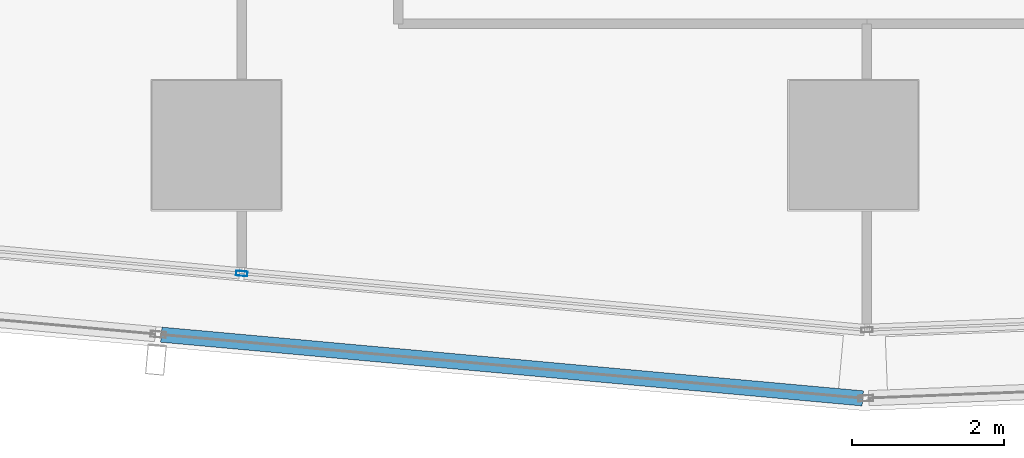
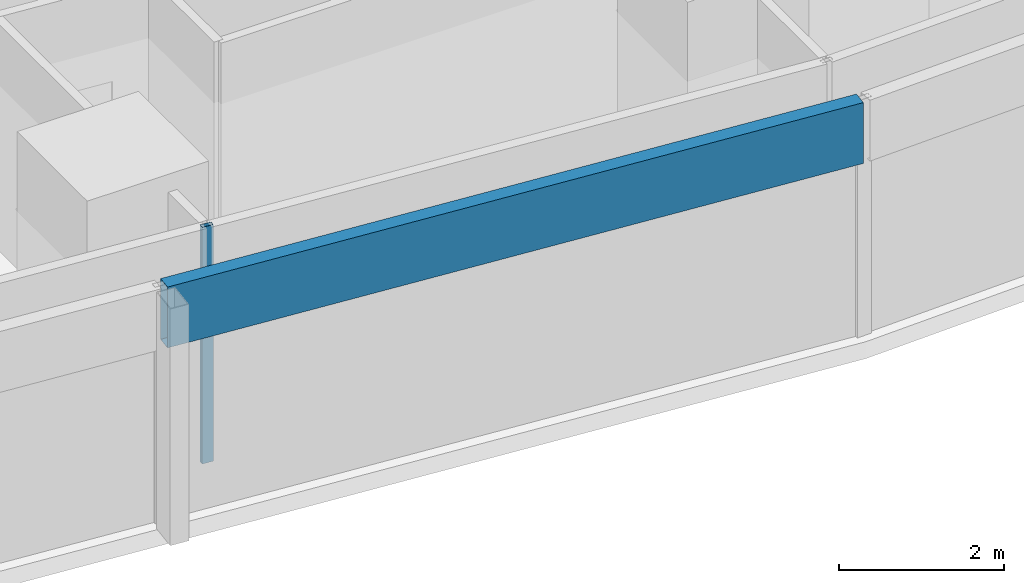
# One storey, part 3 of 40: 2 members, 2 elements without a shape of their own.
"""IFC4 building model written with IfcOpenShell, lengths in metres."""

from ifc_helpers import new_model, si_unit, direction, frame, origin, origin_2d, place, context, subcontext, project, spatial, hollow_rectangle, extrude, material, material_profile, profile_set, type_object, element, aggregate, save


model = new_model("IFC4")

# Units and contexts
model_context = context("Model", 3, precision=1e-05, world=origin(), true_north=direction((0.0, 1.0)))
body_context = subcontext(model_context, "Body", "Model", "MODEL_VIEW")
ifc_project = project(units=[si_unit("LENGTHUNIT", "METRE"), si_unit("AREAUNIT", "SQUARE_METRE"), si_unit("VOLUMEUNIT", "CUBIC_METRE"), si_unit("PLANEANGLEUNIT", "RADIAN"), si_unit("MASSUNIT", "GRAM", prefix="KILO")], contexts=[model_context])

# Site, building, storey
site_placement = place(None, origin())
site = spatial("IfcSite", under=ifc_project, at=site_placement, CompositionType="ELEMENT")
building_placement = place(site_placement, origin())
building = spatial("IfcBuilding", under=site, at=building_placement, Name="Rekha Terrace Tower", CompositionType="ELEMENT")
storey_placement = place(building_placement, frame((0.0, 0.0, 132.800048828125)))
storey = spatial("IfcBuildingStorey", under=building, at=storey_placement, Name="L33", CompositionType="ELEMENT", Elevation=132.800048828125)

# Curtain wall, member
ifc_material_1 = material(Name="Aluminium framing", Category="aluminium")
curtain_wall_type_1 = type_object("IfcCurtainWallType", Name="CW1 double skin inner glazing", PredefinedType="USERDEFINED", material=ifc_material_1)
curtain_wall_1_placement = place(storey_placement, origin())
curtain_wall_1 = element("IfcCurtainWall", 1, at=curtain_wall_1_placement, inside=storey, type_object=curtain_wall_type_1, Name="CW1 double skin inner glazing", ObjectType="DOUBLE SKIN INNER GLAZING", PredefinedType="USERDEFINED")
ifc_material_2 = material(Name="Aluminium mullion section", Category="aluminium")
ifc_material_profile_1 = material_profile(ifc_material_2, hollow_rectangle(XDim=0.06494140625, YDim=0.14990234375, WallThickness=0.00390625, at=origin_2d()), Name="AL RHS 65x150")
ifc_profile_set_1 = profile_set([ifc_material_profile_1], Name="Aluminium mullion section")
member_type_1 = type_object("IfcMemberType", Name="CW1 mullion RHS 65 x 150", PredefinedType="MULLION", material=ifc_profile_set_1)
member_1_placement = place(storey_placement, frame((17.13427734375, 15.107666015625, 0.0), z_axis=(0.0, 0.0, 1.0), x_axis=(0.090439811381, 0.995901923142, 0.0)))
member_1 = element("IfcMember", 2, at=member_1_placement, type_object=member_type_1, Name="CW1 mullion 2", PredefinedType="MULLION", context=body_context, shape_type="SweptSolid", body=[
    extrude(hollow_rectangle(XDim=0.06494140625, YDim=0.14990234375, WallThickness=0.00390625, at=origin_2d()), origin(), (0.0, 0.0, 1.0), 3.5),
])
aggregate(curtain_wall_1, [member_1])

curtain_wall_type_2 = type_object("IfcCurtainWallType", Name="CW2 double skin outer glazing", PredefinedType="USERDEFINED", material=ifc_material_1)
curtain_wall_2_placement = place(storey_placement, origin())
curtain_wall_2 = element("IfcCurtainWall", 3, at=curtain_wall_2_placement, inside=storey, type_object=curtain_wall_type_2, Name="CW2 double skin outer glazing", ObjectType="DOUBLE SKIN OUTER GLAZING", PredefinedType="USERDEFINED")
ifc_material_3 = material(Name="Insulated aluminium spandrel box", Category="aluminium")
ifc_material_profile_2 = material_profile(ifc_material_3, hollow_rectangle(XDim=0.199951171875, YDim=0.89990234375, WallThickness=0.0029296875, at=origin_2d()), Name="AL SPANDREL BOX 200x900")
ifc_profile_set_2 = profile_set([ifc_material_profile_2], Name="Insulated aluminium spandrel box")
member_type_2 = type_object("IfcMemberType", Name="CW2 spandrel transom 200 x 900", PredefinedType="USERDEFINED", material=ifc_profile_set_2)
member_2_placement = place(storey_placement, frame((16.072265625, 14.300537109375, 3.050048828125), z_axis=(0.995900527097, -0.090455182982, 0.0), x_axis=(0.090455182982, 0.995900527097, 0.0)))
member_2 = element("IfcMember", 4, at=member_2_placement, type_object=member_type_2, Name="CW2 spandrel transom 2", ObjectType="TRANSOM", PredefinedType="USERDEFINED", context=body_context, shape_type="SweptSolid", body=[
    extrude(hollow_rectangle(XDim=0.199951171875, YDim=0.89990234375, WallThickness=0.0029296875, at=origin_2d()), origin(), (0.0, 0.0, 1.0), 9.2900390625),
])
aggregate(curtain_wall_2, [member_2])

save(model, "model.ifc")
